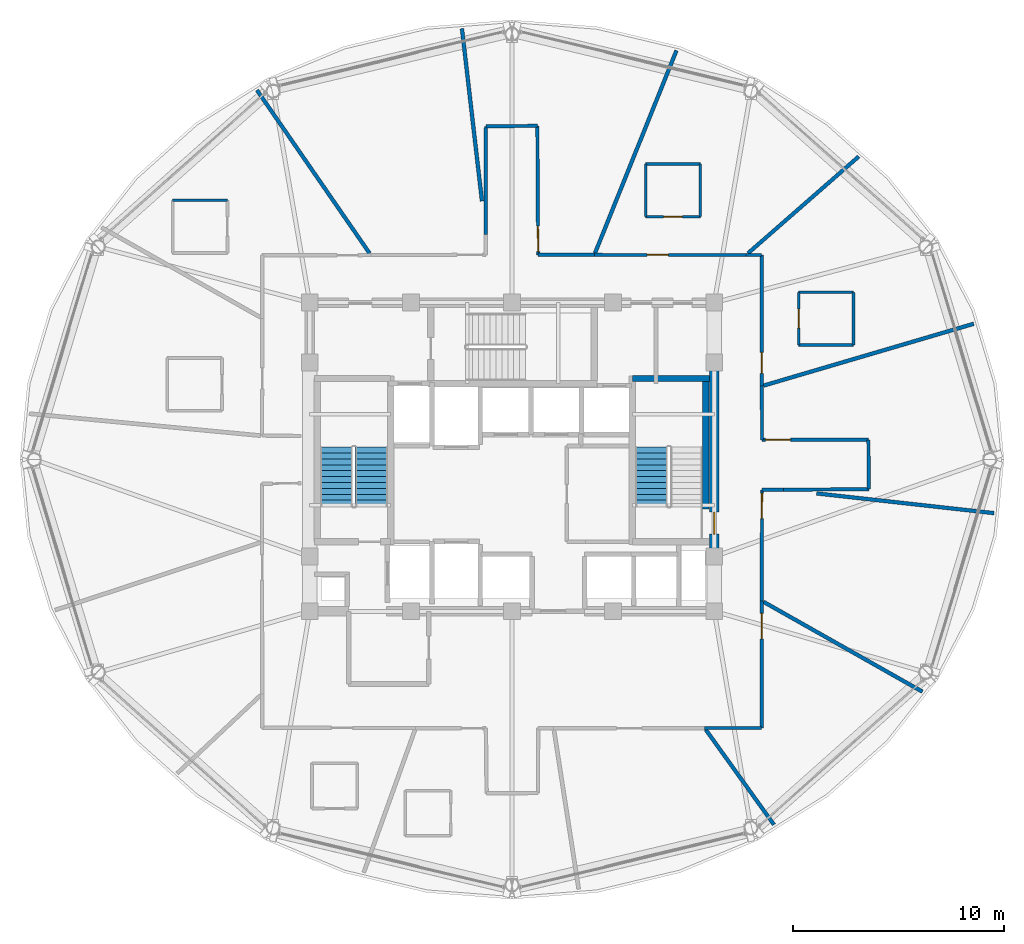
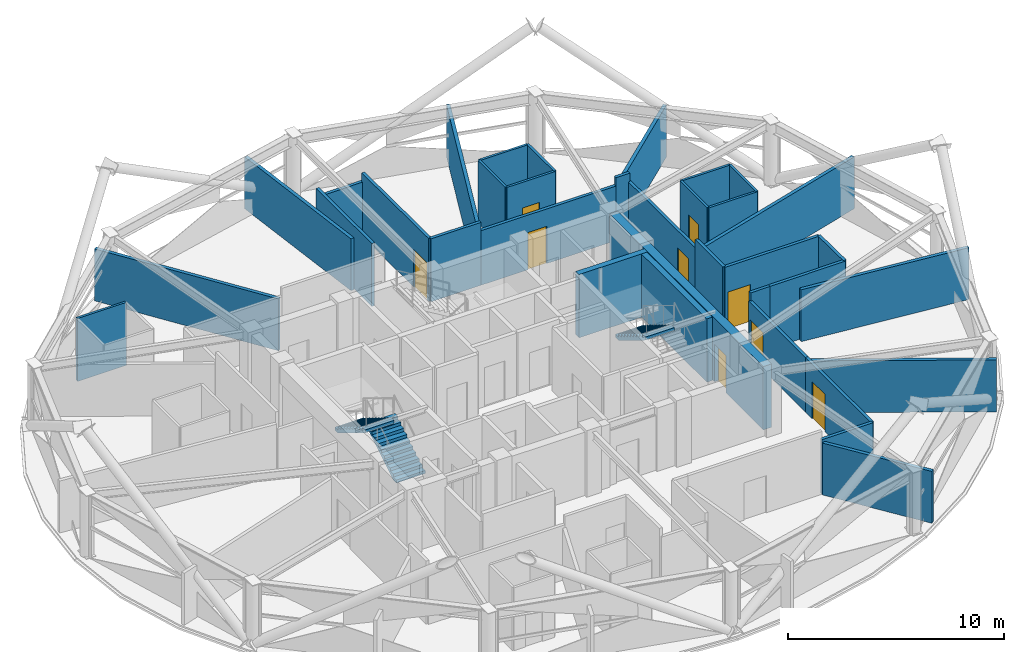
# One storey, part 25 of 30: 35 walls, 9 doors, 3 stair flights, 9 openings, 2 elements without a shape of their own.
"""IFC4 building model written with IfcOpenShell, lengths in metres."""

from ifc_helpers import new_model, si_unit, direction, frame, frame_2d, origin, place, context, subcontext, project, spatial, polyline, rectangle, outline, extrude, material, layer, layer_set, type_object, element, fill, aggregate, save


model = new_model("IFC4")

# Units and contexts
model_context = context("Model", 3, precision=1e-05, world=origin(), true_north=direction((0.0, 1.0)))
body_context = subcontext(model_context, "Body", "Model", "MODEL_VIEW")
ifc_project = project(units=[si_unit("LENGTHUNIT", "METRE"), si_unit("AREAUNIT", "SQUARE_METRE"), si_unit("VOLUMEUNIT", "CUBIC_METRE"), si_unit("PLANEANGLEUNIT", "RADIAN"), si_unit("MASSUNIT", "GRAM", prefix="KILO")], contexts=[model_context])

# Site, building, storey
site_placement = place(None, origin())
site = spatial("IfcSite", under=ifc_project, at=site_placement, CompositionType="ELEMENT")
building_placement = place(site_placement, origin())
building = spatial("IfcBuilding", under=site, at=building_placement, Name="Vantalir Tower", CompositionType="ELEMENT")
storey_placement = place(building_placement, frame((0.0, 0.0, 189.89990234375)))
storey = spatial("IfcBuildingStorey", under=building, at=storey_placement, Name="L47", CompositionType="ELEMENT", Elevation=189.89990234375)

# Walls
ifc_material_1 = material(Name="Moisture-resistant en-suite partition", Category="gypsum")
ifc_layer_1 = layer(ifc_material_1, 0.125)
ifc_layer_set_1 = layer_set([ifc_layer_1], Name="Moisture-resistant en-suite partition")
wall_type_1 = type_object("IfcWallType", Name="WL-BATH-125", PredefinedType="PARTITIONING", material=ifc_layer_set_1)
for number, where, z_axis, x_axis, name in (
    (1, (45.10498046875, 30.43994140625, 0.0), (0.0, 0.0, 1.0), (1.0, 0.0, 0.0), "L47 En-suite 01 South Wall"),
    (2, (45.10498046875, 32.93994140625, 0.0), (0.0, 0.0, 1.0), (1.0, 0.0, 0.0), "L47 En-suite 01 North Wall"),
):
    element("IfcWall", number, at=place(storey_placement, frame(where, z_axis=z_axis, x_axis=x_axis)), inside=storey, type_object=wall_type_1, Name=name, PredefinedType="PARTITIONING", context=body_context, shape_type="SweptSolid", body=[
        extrude(rectangle(XDim=2.60009765625, YDim=0.125, at=frame_2d((1.300048828125, 0.0))), origin(), (0.0, 0.0, 1.0), 3.550048828125),
    ])

# Wall, opening, door
wall_1_placement = place(storey_placement, frame((45.10498046875, 30.43994140625, 0.0), z_axis=(0.0, 0.0, 1.0), x_axis=(0.0, 1.0, 0.0)))
wall_1 = element("IfcWall", 3, at=wall_1_placement, inside=storey, type_object=wall_type_1, Name="L47 En-suite 01 West Wall", PredefinedType="PARTITIONING", context=body_context, shape_type="SweptSolid", body=[
    extrude(rectangle(XDim=2.5, YDim=0.125, at=frame_2d((1.25, 0.0))), origin(), (0.0, 0.0, 1.0), 3.550048828125),
])
opening_1_placement = place(wall_1_placement, frame((0.800048828125, 0.0, 0.0)))
opening_1 = element("IfcOpeningElement", 4, at=opening_1_placement, cuts=wall_1, Name="Opening D-WC", PredefinedType="OPENING", context=body_context, shape_type="SweptSolid", body=[
    extrude(rectangle(XDim=0.89990234375, YDim=2.10009765625, at=frame_2d((0.449951171875, 1.050048828125))), frame((0.0, 0.072509765625, 0.0), z_axis=(0.0, -1.0, 0.0), x_axis=(1.0, 0.0, 0.0)), (0.0, 0.0, 1.0), 0.14501953125),
])
ifc_material_2 = material(Name="Moisture-resistant hardwood door", Category="wood")
door_type_1 = type_object("IfcDoorType", Name="DR-ENSUITE-900", OperationType="NOTDEFINED", PredefinedType="DOOR", material=ifc_material_2)
door_1_placement = place(opening_1_placement, frame((0.89990234375, 0.0, 0.0), z_axis=(0.0, 0.0, 1.0), x_axis=(-1.0, 0.0, 0.0)))
door_1 = element("IfcDoor", 5, at=door_1_placement, inside=storey, type_object=door_type_1, Name="L47 En-suite 01 Door", OperationType="SINGLE_SWING_LEFT", OverallHeight=2.10009765625, OverallWidth=0.89990234375, PredefinedType="DOOR", context=body_context, shape_type="SweptSolid", body=[
    extrude(rectangle(XDim=0.89990234375, YDim=2.10009765625, at=frame_2d((0.449951171875, 1.050048828125))), frame((0.0, 0.02490234375, 0.0), z_axis=(0.0, -1.0, 0.0), x_axis=(1.0, 0.0, 0.0)), (0.0, 0.0, 1.0), 0.050048828125),
])
fill(opening_1, door_1)

# Wall
wall_2_placement = place(storey_placement, frame((47.705078125, 30.43994140625, 0.0), z_axis=(0.0, 0.0, 1.0), x_axis=(0.0, 1.0, 0.0)))
element("IfcWall", 6, at=wall_2_placement, inside=storey, type_object=wall_type_1, Name="L47 En-suite 01 East Wall", PredefinedType="PARTITIONING", context=body_context, shape_type="SweptSolid", body=[
    extrude(rectangle(XDim=2.5, YDim=0.125, at=frame_2d((1.25, 0.0))), origin(), (0.0, 0.0, 1.0), 3.550048828125),
])

# Wall, opening, door
wall_3_placement = place(storey_placement, frame((37.842041015625, 36.528076171875, 0.0), z_axis=(0.0, 0.0, 1.0), x_axis=(1.0, 0.0, 0.0)))
wall_3 = element("IfcWall", 7, at=wall_3_placement, inside=storey, type_object=wall_type_1, Name="L47 En-suite 02 South Wall", PredefinedType="PARTITIONING", context=body_context, shape_type="SweptSolid", body=[
    extrude(rectangle(XDim=2.599853515625, YDim=0.125, at=frame_2d((1.2998046875, 0.0))), origin(), (0.0, 0.0, 1.0), 3.550048828125),
])
opening_2_placement = place(wall_3_placement, frame((0.85009765625, 0.0, 0.0)))
opening_2 = element("IfcOpeningElement", 8, at=opening_2_placement, cuts=wall_3, Name="Opening D-WC", PredefinedType="OPENING", context=body_context, shape_type="SweptSolid", body=[
    extrude(rectangle(XDim=0.89990234375, YDim=2.10009765625, at=frame_2d((0.449951171875, 1.050048828125))), frame((0.0, 0.072509765625, 0.0), z_axis=(0.0, -1.0, 0.0), x_axis=(1.0, 0.0, 0.0)), (0.0, 0.0, 1.0), 0.14501953125),
])
door_2_placement = place(opening_2_placement, origin())
door_2 = element("IfcDoor", 9, at=door_2_placement, inside=storey, type_object=door_type_1, Name="L47 En-suite 02 Door", OperationType="SINGLE_SWING_RIGHT", OverallHeight=2.10009765625, OverallWidth=0.89990234375, PredefinedType="DOOR", context=body_context, shape_type="SweptSolid", body=[
    extrude(rectangle(XDim=0.89990234375, YDim=2.10009765625, at=frame_2d((0.449951171875, 1.050048828125))), frame((0.0, 0.02490234375, 0.0), z_axis=(0.0, -1.0, 0.0), x_axis=(1.0, 0.0, 0.0)), (0.0, 0.0, 1.0), 0.050048828125),
])
fill(opening_2, door_2)

# Walls
wall_4_placement = place(storey_placement, frame((37.842041015625, 39.028076171875, 0.0), z_axis=(0.0, 0.0, 1.0), x_axis=(1.0, 0.0, 0.0)))
element("IfcWall", 10, at=wall_4_placement, inside=storey, type_object=wall_type_1, Name="L47 En-suite 02 North Wall", PredefinedType="PARTITIONING", context=body_context, shape_type="SweptSolid", body=[
    extrude(rectangle(XDim=2.599853515625, YDim=0.125, at=frame_2d((1.2998046875, 0.0))), origin(), (0.0, 0.0, 1.0), 3.550048828125),
])
for number, where, z_axis, x_axis, name in (
    (11, (37.842041015625, 36.528076171875, 0.0), (0.0, 0.0, 1.0), (0.0, 1.0, 0.0), "L47 En-suite 02 West Wall"),
    (12, (40.44189453125, 36.528076171875, 0.0), (0.0, 0.0, 1.0), (0.0, 1.0, 0.0), "L47 En-suite 02 East Wall"),
):
    element("IfcWall", number, at=place(storey_placement, frame(where, z_axis=z_axis, x_axis=x_axis)), inside=storey, type_object=wall_type_1, Name=name, PredefinedType="PARTITIONING", context=body_context, shape_type="SweptSolid", body=[
        extrude(rectangle(XDim=2.5, YDim=0.125, at=frame_2d((1.25, 0.0))), origin(), (0.0, 0.0, 1.0), 3.550048828125),
    ])
wall_5_placement = place(storey_placement, frame((15.39501953125, 37.305908203125, 0.0), z_axis=(0.0, 0.0, 1.0), x_axis=(1.0, 0.0, 0.0)))
element("IfcWall", 13, at=wall_5_placement, inside=storey, type_object=wall_type_1, Name="L47 En-suite 05 North Wall", PredefinedType="PARTITIONING", context=body_context, shape_type="SweptSolid", body=[
    extrude(rectangle(XDim=2.60009765625, YDim=0.125, at=frame_2d((1.300048828125, 0.0))), origin(), (0.0, 0.0, 1.0), 3.550048828125),
])

# Wall, opening, door
ifc_material_3 = material(Name="Concrete C50/60", Category="concrete")
ifc_layer_2 = layer(ifc_material_3, 0.449951171875)
ifc_layer_set_2 = layer_set([ifc_layer_2], Name="Concrete C50/60")
wall_type_2 = type_object("IfcWallType", Name="WL-CORE-450", PredefinedType="SHEAR", material=ifc_layer_set_2)
wall_6_placement = place(storey_placement, frame((41.10009765625, 18.02490234375, 0.0), z_axis=(0.0, 0.0, 1.0), x_axis=(0.0, 1.0, 0.0)))
wall_6 = element("IfcWall", 14, at=wall_6_placement, inside=storey, type_object=wall_type_2, Name="L47 Core Shear Wall East", PredefinedType="SHEAR", context=body_context, shape_type="SweptSolid", body=[
    extrude(rectangle(XDim=14.2001953125, YDim=0.449951171875, at=frame_2d((7.10009765625, 0.0))), origin(), (0.0, 0.0, 1.0), 3.570068359375),
])
opening_3_placement = place(wall_6_placement, frame((3.43505859375, 0.0, 0.0)))
opening_3 = element("IfcOpeningElement", 15, at=opening_3_placement, cuts=wall_6, Name="Opening D-ST", PredefinedType="OPENING", context=body_context, shape_type="SweptSolid", body=[
    extrude(rectangle(XDim=1.050048828125, YDim=2.10009765625, at=frame_2d((0.52490234375, 1.050048828125))), frame((0.0, 0.23486328125, 0.0), z_axis=(0.0, -1.0, 0.0), x_axis=(1.0, 0.0, 0.0)), (0.0, 0.0, 1.0), 0.469970703125),
])
ifc_material_4 = material(Name="Fire-rated steel door leaf", Category="steel")
door_type_2 = type_object("IfcDoorType", Name="DR-FIRE-STAIR-1050", OperationType="NOTDEFINED", PredefinedType="DOOR", material=ifc_material_4)
door_3_placement = place(opening_3_placement, origin())
door_3 = element("IfcDoor", 16, at=door_3_placement, inside=storey, type_object=door_type_2, Name="L47 Exit Stair ST2 Fire Door", OperationType="SINGLE_SWING_LEFT", OverallHeight=2.10009765625, OverallWidth=1.050048828125, PredefinedType="DOOR", context=body_context, shape_type="SweptSolid", body=[
    extrude(rectangle(XDim=1.050048828125, YDim=2.10009765625, at=frame_2d((0.52490234375, 1.050048828125))), frame((0.0, 0.02490234375, 0.0), z_axis=(0.0, -1.0, 0.0), x_axis=(1.0, 0.0, 0.0)), (0.0, 0.0, 1.0), 0.050048828125),
])
fill(opening_3, door_3)

# Walls
ifc_material_5 = material(Name="Fire-rated hotel corridor acoustic partition", Category="gypsum")
ifc_layer_3 = layer(ifc_material_5, 0.159912109375)
ifc_layer_set_3 = layer_set([ifc_layer_3], Name="Fire-rated hotel corridor acoustic partition")
wall_type_3 = type_object("IfcWallType", Name="WL-CORR-160", PredefinedType="PARTITIONING", material=ifc_layer_set_3)
wall_7_placement = place(storey_placement, frame((30.260009765625, 35.676025390625, 0.0), z_axis=(0.0, 0.0, 1.0), x_axis=(0.000570098249, 0.999999837494, 0.0)))
element("IfcWall", 17, at=wall_7_placement, inside=storey, type_object=wall_type_3, Name="L47 Corridor Partition 07", PredefinedType="PARTITIONING", context=body_context, shape_type="SweptSolid", body=[
    extrude(rectangle(XDim=5.138916015625, YDim=0.159912109375, at=frame_2d((2.5693359375, 0.0))), origin(), (0.0, 0.0, 1.0), 3.550048828125),
])
wall_8_placement = place(storey_placement, frame((30.262939453125, 40.81494140625, 0.0), z_axis=(0.0, 0.0, 1.0), x_axis=(0.999946948611, 0.010300483619, 0.0)))
element("IfcWall", 18, at=wall_8_placement, inside=storey, type_object=wall_type_3, Name="L47 Corridor Partition 08", PredefinedType="PARTITIONING", context=body_context, shape_type="SweptSolid", body=[
    extrude(rectangle(XDim=2.44140625, YDim=0.159912109375, at=frame_2d((1.220703125, 0.0))), origin(), (0.0, 0.0, 1.0), 3.0810546875),
])

# Wall, opening, door
wall_9_placement = place(storey_placement, frame((32.7041015625, 40.840087890625, 0.0), z_axis=(0.0, 0.0, 1.0), x_axis=(0.00585927442, -0.999982834304, 0.0)))
wall_9 = element("IfcWall", 19, at=wall_9_placement, inside=storey, type_object=wall_type_3, Name="L47 Corridor Partition 09", PredefinedType="PARTITIONING", context=body_context, shape_type="SweptSolid", body=[
    extrude(rectangle(XDim=6.125, YDim=0.159912109375, at=frame_2d((3.0625, 0.0))), origin(), (0.0, 0.0, 1.0), 3.550048828125),
])
opening_4_placement = place(wall_9_placement, frame((4.764892578125, 0.0, 0.0)))
opening_4 = element("IfcOpeningElement", 20, at=opening_4_placement, cuts=wall_9, Name="Opening D-STE", PredefinedType="OPENING", context=body_context, shape_type="SweptSolid", body=[
    extrude(rectangle(XDim=1.199951171875, YDim=2.10009765625, at=frame_2d((0.60009765625, 1.050048828125))), frame((0.0, 0.08984375, 0.0), z_axis=(0.0, -1.0, 0.0), x_axis=(1.0, 0.0, 0.0)), (0.0, 0.0, 1.0), 0.179931640625),
])
ifc_material_6 = material(Name="Solid-core teak veneer suite entrance door", Category="wood")
door_type_3 = type_object("IfcDoorType", Name="DR-SUITE-ENTRY-1200", OperationType="NOTDEFINED", PredefinedType="DOOR", material=ifc_material_6)
door_4_placement = place(opening_4_placement, origin())
door_4 = element("IfcDoor", 21, at=door_4_placement, inside=storey, type_object=door_type_3, Name="L47 Club Reading Lounge 03 Door", OperationType="SINGLE_SWING_LEFT", OverallHeight=2.10009765625, OverallWidth=1.199951171875, PredefinedType="DOOR", context=body_context, shape_type="SweptSolid", body=[
    extrude(rectangle(XDim=1.199951171875, YDim=2.10009765625, at=frame_2d((0.60009765625, 1.050048828125))), frame((0.0, 0.02490234375, 0.0), z_axis=(0.0, -1.0, 0.0), x_axis=(1.0, 0.0, 0.0)), (0.0, 0.0, 1.0), 0.050048828125),
])
fill(opening_4, door_4)

# Wall
wall_10_placement = place(storey_placement, frame((32.739990234375, 34.715087890625, 0.0), z_axis=(0.0, 0.0, 1.0), x_axis=(0.999999660367, -0.000824175544, 0.0)))
element("IfcWall", 22, at=wall_10_placement, inside=storey, type_object=wall_type_3, Name="L47 Corridor Partition 10", PredefinedType="PARTITIONING", context=body_context, shape_type="SweptSolid", body=[
    extrude(rectangle(XDim=2.666015625, YDim=0.159912109375, at=frame_2d((1.3330078125, 0.0))), origin(), (0.0, 0.0, 1.0), 3.550048828125),
])

# Wall, opening, door
wall_11_placement = place(storey_placement, frame((35.406005859375, 34.712890625, 0.0), z_axis=(0.0, 0.0, 1.0), x_axis=(0.999999852866, -0.000542464745, 0.0)))
wall_11 = element("IfcWall", 23, at=wall_11_placement, inside=storey, type_object=wall_type_3, Name="L47 Corridor Partition 11", PredefinedType="PARTITIONING", context=body_context, shape_type="SweptSolid", body=[
    extrude(rectangle(XDim=7.200927734375, YDim=0.159912109375, at=frame_2d((3.6005859375, 0.0))), origin(), (0.0, 0.0, 1.0), 3.0810546875),
])
opening_5_placement = place(wall_11_placement, frame((2.511962890625, 0.0, 0.0)))
opening_5 = element("IfcOpeningElement", 24, at=opening_5_placement, cuts=wall_11, Name="Opening D-GUEST", PredefinedType="OPENING", context=body_context, shape_type="SweptSolid", body=[
    extrude(rectangle(XDim=1.0, YDim=2.10009765625, at=frame_2d((0.5, 1.050048828125))), frame((0.0, 0.08984375, 0.0), z_axis=(0.0, -1.0, 0.0), x_axis=(1.0, 0.0, 0.0)), (0.0, 0.0, 1.0), 0.179931640625),
])
ifc_material_7 = material(Name="Solid-core teak veneer acoustic fire door", Category="wood")
door_type_4 = type_object("IfcDoorType", Name="DR-GUEST-ENTRY-1000", OperationType="NOTDEFINED", PredefinedType="DOOR", material=ifc_material_7)
door_5_placement = place(opening_5_placement, origin())
door_5 = element("IfcDoor", 25, at=door_5_placement, inside=storey, type_object=door_type_4, Name="L47 Deluxe King Hotel Room 02 Door", OperationType="SINGLE_SWING_RIGHT", OverallHeight=2.10009765625, OverallWidth=1.0, PredefinedType="DOOR", context=body_context, shape_type="SweptSolid", body=[
    extrude(rectangle(XDim=1.0, YDim=2.10009765625, at=frame_2d((0.5, 1.050048828125))), frame((0.0, 0.02490234375, 0.0), z_axis=(0.0, -1.0, 0.0), x_axis=(1.0, 0.0, 0.0)), (0.0, 0.0, 1.0), 0.050048828125),
])
fill(opening_5, door_5)

# Wall
wall_12_placement = place(storey_placement, frame((42.60693359375, 34.708984375, 0.0), z_axis=(0.0, 0.0, 1.0), x_axis=(0.999999129202, -0.001319695321, 0.0)))
element("IfcWall", 26, at=wall_12_placement, inside=storey, type_object=wall_type_3, Name="L47 Corridor Partition 12", PredefinedType="PARTITIONING", context=body_context, shape_type="SweptSolid", body=[
    extrude(rectangle(XDim=0.739990234375, YDim=0.159912109375, at=frame_2d((0.3701171875, 0.0))), origin(), (0.0, 0.0, 1.0), 3.550048828125),
])

# Wall, opening, door
wall_13_placement = place(storey_placement, frame((43.346923828125, 34.7080078125, 0.0), z_axis=(0.0, 0.0, 1.0), x_axis=(0.002119554057, -0.999997753743, 0.0)))
wall_13 = element("IfcWall", 27, at=wall_13_placement, inside=storey, type_object=wall_type_3, Name="L47 Corridor Partition 13", PredefinedType="PARTITIONING", context=body_context, shape_type="SweptSolid", body=[
    extrude(rectangle(XDim=6.219970703125, YDim=0.159912109375, at=frame_2d((3.10986328125, 0.0))), origin(), (0.0, 0.0, 1.0), 3.0810546875),
])
opening_6_placement = place(wall_13_placement, frame((4.614990234375, 0.0, 0.0)))
opening_6 = element("IfcOpeningElement", 28, at=opening_6_placement, cuts=wall_13, Name="Opening D-GUEST", PredefinedType="OPENING", context=body_context, shape_type="SweptSolid", body=[
    extrude(rectangle(XDim=1.0, YDim=2.10009765625, at=frame_2d((0.5, 1.050048828125))), frame((0.0, 0.08984375, 0.0), z_axis=(0.0, -1.0, 0.0), x_axis=(1.0, 0.0, 0.0)), (0.0, 0.0, 1.0), 0.179931640625),
])
door_6_placement = place(opening_6_placement, origin())
door_6 = element("IfcDoor", 29, at=door_6_placement, inside=storey, type_object=door_type_4, Name="L47 Twin Queen Hotel Room 01 Door", OperationType="SINGLE_SWING_LEFT", OverallHeight=2.10009765625, OverallWidth=1.0, PredefinedType="DOOR", context=body_context, shape_type="SweptSolid", body=[
    extrude(rectangle(XDim=1.0, YDim=2.10009765625, at=frame_2d((0.5, 1.050048828125))), frame((0.0, 0.02490234375, 0.0), z_axis=(0.0, -1.0, 0.0), x_axis=(1.0, 0.0, 0.0)), (0.0, 0.0, 1.0), 0.050048828125),
])
fill(opening_6, door_6)

# Wall
wall_14_placement = place(storey_placement, frame((43.360107421875, 28.488037109375, 0.0), z_axis=(0.0, 0.0, 1.0), x_axis=(0.001916255943, -0.99999816398, 0.0)))
element("IfcWall", 30, at=wall_14_placement, inside=storey, type_object=wall_type_3, Name="L47 Corridor Partition 14", PredefinedType="PARTITIONING", context=body_context, shape_type="SweptSolid", body=[
    extrude(rectangle(XDim=2.548095703125, YDim=0.159912109375, at=frame_2d((1.27392578125, 0.0))), origin(), (0.0, 0.0, 1.0), 3.550048828125),
])

# Wall, opening, door
wall_15_placement = place(storey_placement, frame((43.364990234375, 25.93994140625, 0.0), z_axis=(0.0, 0.0, 1.0), x_axis=(0.999999831724, -0.000580130432, 0.0)))
wall_15 = element("IfcWall", 31, at=wall_15_placement, inside=storey, type_object=wall_type_3, Name="L47 Corridor Partition 15", PredefinedType="PARTITIONING", context=body_context, shape_type="SweptSolid", body=[
    extrude(rectangle(XDim=5.050048828125, YDim=0.159912109375, at=frame_2d((2.52490234375, 0.0))), origin(), (0.0, 0.0, 1.0), 3.550048828125),
])
opening_7_placement = place(wall_15_placement, frame((0.159912109375, 0.0, 0.0)))
opening_7 = element("IfcOpeningElement", 32, at=opening_7_placement, cuts=wall_15, Name="Opening D-STE", PredefinedType="OPENING", context=body_context, shape_type="SweptSolid", body=[
    extrude(rectangle(XDim=1.199951171875, YDim=2.10009765625, at=frame_2d((0.60009765625, 1.050048828125))), frame((0.0, 0.08984375, 0.0), z_axis=(0.0, -1.0, 0.0), x_axis=(1.0, 0.0, 0.0)), (0.0, 0.0, 1.0), 0.179931640625),
])
door_7_placement = place(opening_7_placement, origin())
door_7 = element("IfcDoor", 33, at=door_7_placement, inside=storey, type_object=door_type_3, Name="L47 Executive Sky Boardroom 14 Door", OperationType="SINGLE_SWING_RIGHT", OverallHeight=2.10009765625, OverallWidth=1.199951171875, PredefinedType="DOOR", context=body_context, shape_type="SweptSolid", body=[
    extrude(rectangle(XDim=1.199951171875, YDim=2.10009765625, at=frame_2d((0.60009765625, 1.050048828125))), frame((0.0, 0.02490234375, 0.0), z_axis=(0.0, -1.0, 0.0), x_axis=(1.0, 0.0, 0.0)), (0.0, 0.0, 1.0), 0.050048828125),
])
fill(opening_7, door_7)

# Walls
wall_16_placement = place(storey_placement, frame((48.4150390625, 25.93701171875, 0.0), z_axis=(0.0, 0.0, 1.0), x_axis=(0.010636586698, -0.999943429912, 0.0)))
element("IfcWall", 34, at=wall_16_placement, inside=storey, type_object=wall_type_3, Name="L47 Corridor Partition 16", PredefinedType="PARTITIONING", context=body_context, shape_type="SweptSolid", body=[
    extrude(rectangle(XDim=2.34130859375, YDim=0.159912109375, at=frame_2d((1.170654296875, 0.0))), origin(), (0.0, 0.0, 1.0), 3.550048828125),
])
wall_17_placement = place(storey_placement, frame((48.43994140625, 23.595947265625, 0.0), z_axis=(0.0, 0.0, 1.0), x_axis=(-0.999974256442, -0.007175406206, 0.0)))
element("IfcWall", 35, at=wall_17_placement, inside=storey, type_object=wall_type_3, Name="L47 Corridor Partition 17", PredefinedType="PARTITIONING", context=body_context, shape_type="SweptSolid", body=[
    extrude(rectangle(XDim=4.048828125, YDim=0.159912109375, at=frame_2d((2.0244140625, 0.0))), origin(), (0.0, 0.0, 1.0), 3.550048828125),
])
wall_18_placement = place(storey_placement, frame((44.39111328125, 23.56689453125, 0.0), z_axis=(0.0, 0.0, 1.0), x_axis=(-0.999977810228, -0.006661760335, 0.0)))
element("IfcWall", 36, at=wall_18_placement, inside=storey, type_object=wall_type_3, Name="L47 Corridor Partition 18", PredefinedType="PARTITIONING", context=body_context, shape_type="SweptSolid", body=[
    extrude(rectangle(XDim=1.026123046875, YDim=0.159912109375, at=frame_2d((0.51318359375, 0.0))), origin(), (0.0, 0.0, 1.0), 3.550048828125),
])

# Wall, opening, door
wall_19_placement = place(storey_placement, frame((43.364990234375, 23.56005859375, 0.0), z_axis=(0.0, 0.0, 1.0), x_axis=(-0.001344209409, -0.99999909655, 0.0)))
wall_19 = element("IfcWall", 37, at=wall_19_placement, inside=storey, type_object=wall_type_3, Name="L47 Corridor Partition 19", PredefinedType="PARTITIONING", context=body_context, shape_type="SweptSolid", body=[
    extrude(rectangle(XDim=5.26708984375, YDim=0.159912109375, at=frame_2d((2.633544921875, 0.0))), origin(), (0.0, 0.0, 1.0), 3.0810546875),
])
opening_8_placement = place(wall_19_placement, frame((0.159912109375, 0.0, 0.0)))
opening_8 = element("IfcOpeningElement", 38, at=opening_8_placement, cuts=wall_19, Name="Opening D-STE", PredefinedType="OPENING", context=body_context, shape_type="SweptSolid", body=[
    extrude(rectangle(XDim=1.199951171875, YDim=2.10009765625, at=frame_2d((0.60009765625, 1.050048828125))), frame((0.0, 0.08984375, 0.0), z_axis=(0.0, -1.0, 0.0), x_axis=(1.0, 0.0, 0.0)), (0.0, 0.0, 1.0), 0.179931640625),
])
door_8_placement = place(opening_8_placement, origin())
door_8 = element("IfcDoor", 39, at=door_8_placement, inside=storey, type_object=door_type_3, Name="L47 Club Reading Lounge 13 Door", OperationType="SINGLE_SWING_LEFT", OverallHeight=2.10009765625, OverallWidth=1.199951171875, PredefinedType="DOOR", context=body_context, shape_type="SweptSolid", body=[
    extrude(rectangle(XDim=1.199951171875, YDim=2.10009765625, at=frame_2d((0.60009765625, 1.050048828125))), frame((0.0, 0.02490234375, 0.0), z_axis=(0.0, -1.0, 0.0), x_axis=(1.0, 0.0, 0.0)), (0.0, 0.0, 1.0), 0.050048828125),
])
fill(opening_8, door_8)

wall_20_placement = place(storey_placement, frame((43.35791015625, 18.29296875, 0.0), z_axis=(0.0, 0.0, 1.0), x_axis=(-0.001294759182, -0.999999161799, 0.0)))
wall_20 = element("IfcWall", 40, at=wall_20_placement, inside=storey, type_object=wall_type_3, Name="L47 Corridor Partition 20", PredefinedType="PARTITIONING", context=body_context, shape_type="SweptSolid", body=[
    extrude(rectangle(XDim=6.033935546875, YDim=0.159912109375, at=frame_2d((3.01708984375, 0.0))), origin(), (0.0, 0.0, 1.0), 3.0810546875),
])
opening_9_placement = place(wall_20_placement, frame((0.596923828125, 0.0, 0.0)))
opening_9 = element("IfcOpeningElement", 41, at=opening_9_placement, cuts=wall_20, Name="Opening D-STE", PredefinedType="OPENING", context=body_context, shape_type="SweptSolid", body=[
    extrude(rectangle(XDim=1.199951171875, YDim=2.10009765625, at=frame_2d((0.60009765625, 1.050048828125))), frame((0.0, 0.08984375, 0.0), z_axis=(0.0, -1.0, 0.0), x_axis=(1.0, 0.0, 0.0)), (0.0, 0.0, 1.0), 0.179931640625),
])
door_9_placement = place(opening_9_placement, origin())
door_9 = element("IfcDoor", 42, at=door_9_placement, inside=storey, type_object=door_type_3, Name="L47 Executive Sky Boardroom 12 Door", OperationType="SINGLE_SWING_RIGHT", OverallHeight=2.10009765625, OverallWidth=1.199951171875, PredefinedType="DOOR", context=body_context, shape_type="SweptSolid", body=[
    extrude(rectangle(XDim=1.199951171875, YDim=2.10009765625, at=frame_2d((0.60009765625, 1.050048828125))), frame((0.0, 0.02490234375, 0.0), z_axis=(0.0, -1.0, 0.0), x_axis=(1.0, 0.0, 0.0)), (0.0, 0.0, 1.0), 0.050048828125),
])
fill(opening_9, door_9)

# Walls
wall_21_placement = place(storey_placement, frame((43.35009765625, 12.259033203125, 0.0), z_axis=(0.0, 0.0, 1.0), x_axis=(-0.999999739718, -0.000721500534, 0.0)))
element("IfcWall", 43, at=wall_21_placement, inside=storey, type_object=wall_type_3, Name="L47 Corridor Partition 21", PredefinedType="PARTITIONING", context=body_context, shape_type="SweptSolid", body=[
    extrude(rectangle(XDim=2.70703125, YDim=0.159912109375, at=frame_2d((1.353515625, 0.0))), origin(), (0.0, 0.0, 1.0), 3.0810546875),
])
ifc_material_8 = material(Name="Twin-stud acoustic fire-rated gypsum partition", Category="gypsum")
ifc_layer_4 = layer(ifc_material_8, 0.179931640625)
ifc_layer_set_4 = layer_set([ifc_layer_4], Name="Twin-stud acoustic fire-rated gypsum partition")
wall_type_4 = type_object("IfcWallType", Name="WL-GUEST-180", PredefinedType="PARTITIONING", material=ifc_layer_set_4)
wall_22_placement = place(storey_placement, frame((43.43994140625, 28.510986328125, 0.0), z_axis=(0.0, 0.0, 1.0), x_axis=(0.959359519105, 0.282186663581, 0.0)))
element("IfcWall", 44, at=wall_22_placement, inside=storey, type_object=wall_type_4, Name="L47 Radial Suite Partition 01", PredefinedType="PARTITIONING", context=body_context, shape_type="SweptSolid", body=[
    extrude(rectangle(XDim=10.397705078125, YDim=0.179931640625, at=frame_2d((5.19873046875, 0.0))), origin(), (0.0, 0.0, 1.0), 2.925048828125),
])
wall_23_placement = place(storey_placement, frame((42.699951171875, 34.7900390625, 0.0), z_axis=(0.0, 0.0, 1.0), x_axis=(0.75292092659, 0.658110992388, 0.0)))
element("IfcWall", 45, at=wall_23_placement, inside=storey, type_object=wall_type_4, Name="L47 Radial Suite Partition 02", PredefinedType="PARTITIONING", context=body_context, shape_type="SweptSolid", body=[
    extrude(rectangle(XDim=6.983642578125, YDim=0.179931640625, at=frame_2d((3.49169921875, 0.0))), origin(), (0.0, 0.0, 1.0), 2.925048828125),
])
wall_24_placement = place(storey_placement, frame((35.43701171875, 34.7900390625, 0.0), z_axis=(0.0, 0.0, 1.0), x_axis=(0.373077668458, 0.927800114948, 0.0)))
element("IfcWall", 46, at=wall_24_placement, inside=storey, type_object=wall_type_4, Name="L47 Radial Suite Partition 03", PredefinedType="PARTITIONING", context=body_context, shape_type="SweptSolid", body=[
    extrude(rectangle(XDim=10.376220703125, YDim=0.179931640625, at=frame_2d((5.18798828125, 0.0))), origin(), (0.0, 0.0, 1.0), 2.925048828125),
])
wall_25_placement = place(storey_placement, frame((30.075927734375, 37.264892578125, 0.0), z_axis=(0.0, 0.0, 1.0), x_axis=(-0.115375116719, 0.993321993335, 0.0)))
element("IfcWall", 47, at=wall_25_placement, inside=storey, type_object=wall_type_4, Name="L47 Radial Suite Partition 04", PredefinedType="PARTITIONING", context=body_context, shape_type="SweptSolid", body=[
    extrude(rectangle(XDim=8.241943359375, YDim=0.179931640625, at=frame_2d((4.12109375, 0.0))), origin(), (0.0, 0.0, 1.0), 2.925048828125),
])
wall_26_placement = place(storey_placement, frame((24.740966796875, 34.7900390625, 0.0), z_axis=(0.0, 0.0, 1.0), x_axis=(-0.568116674555, 0.822948020286, 0.0)))
element("IfcWall", 48, at=wall_26_placement, inside=storey, type_object=wall_type_4, Name="L47 Radial Suite Partition 05", PredefinedType="PARTITIONING", context=body_context, shape_type="SweptSolid", body=[
    extrude(rectangle(XDim=9.409912109375, YDim=0.179931640625, at=frame_2d((4.705078125, 0.0))), origin(), (0.0, 0.0, 1.0), 2.925048828125),
])
wall_27_placement = place(storey_placement, frame((40.701904296875, 12.175048828125, 0.0), z_axis=(0.0, 0.0, 1.0), x_axis=(0.582903450573, -0.812541424981, 0.0)))
element("IfcWall", 49, at=wall_27_placement, inside=storey, type_object=wall_type_4, Name="L47 Radial Suite Partition 12", PredefinedType="PARTITIONING", context=body_context, shape_type="SweptSolid", body=[
    extrude(rectangle(XDim=5.543212890625, YDim=0.179931640625, at=frame_2d((2.771484375, 0.0))), origin(), (0.0, 0.0, 1.0), 2.925048828125),
])
wall_28_placement = place(storey_placement, frame((43.43994140625, 18.2470703125, 0.0), z_axis=(0.0, 0.0, 1.0), x_axis=(0.870416857611, -0.492315441549, 0.0)))
element("IfcWall", 50, at=wall_28_placement, inside=storey, type_object=wall_type_4, Name="L47 Radial Suite Partition 13", PredefinedType="PARTITIONING", context=body_context, shape_type="SweptSolid", body=[
    extrude(rectangle(XDim=8.661376953125, YDim=0.179931640625, at=frame_2d((4.33056640625, 0.0))), origin(), (0.0, 0.0, 1.0), 2.925048828125),
])
wall_29_placement = place(storey_placement, frame((45.9580078125, 23.39306640625, 0.0), z_axis=(0.0, 0.0, 1.0), x_axis=(0.993887249418, -0.110399888784, 0.0)))
element("IfcWall", 51, at=wall_29_placement, inside=storey, type_object=wall_type_4, Name="L47 Radial Suite Partition 14", PredefinedType="PARTITIONING", context=body_context, shape_type="SweptSolid", body=[
    extrude(rectangle(XDim=8.4697265625, YDim=0.179931640625, at=frame_2d((4.23486328125, 0.0))), origin(), (0.0, 0.0, 1.0), 2.925048828125),
])
ifc_layer_5 = layer(ifc_material_3, 0.300048828125)
ifc_layer_set_5 = layer_set([ifc_layer_5], Name="Concrete C50/60")
wall_type_5 = type_object("IfcWallType", Name="WL-STAIR-300", PredefinedType="SHEAR", material=ifc_layer_set_5)
wall_30_placement = place(storey_placement, frame((37.2099609375, 28.85009765625, 0.0), z_axis=(0.0, 0.0, 1.0), x_axis=(1.0, 0.0, 0.0)))
element("IfcWall", 52, at=wall_30_placement, inside=storey, type_object=wall_type_5, Name="L47 Stair ST2 North Wall", PredefinedType="SHEAR", context=body_context, shape_type="SweptSolid", body=[
    extrude(rectangle(XDim=3.6650390625, YDim=0.300048828125, at=frame_2d((1.83251953125, 0.0))), origin(), (0.0, 0.0, 1.0), 3.570068359375),
])
wall_31_placement = place(storey_placement, frame((40.68994140625, 22.64990234375, 0.0), z_axis=(0.0, 0.0, 1.0), x_axis=(0.0, 1.0, 0.0)))
element("IfcWall", 53, at=wall_31_placement, inside=storey, type_object=wall_type_5, Name="L47 Stair ST2 East Liner Wall", PredefinedType="SHEAR", context=body_context, shape_type="SweptSolid", body=[
    extrude(rectangle(XDim=6.2001953125, YDim=0.300048828125, at=frame_2d((3.10009765625, 0.0))), origin(), (0.0, 0.0, 1.0), 3.570068359375),
])

# Stair, stair flights
ifc_material_9 = material(Name="Concrete C40/50", Category="concrete")
stair_type = type_object("IfcStairType", Name="STR-CORE-1450", PredefinedType="HALF_TURN_STAIR", material=ifc_material_9)
stair_1_placement = place(storey_placement, origin())
stair_1 = element("IfcStair", 54, at=stair_1_placement, inside=storey, type_object=stair_type, Name="L47 Core Exit Stair 1", PredefinedType="HALF_TURN_STAIR")
stair_flight_type = type_object("IfcStairFlightType", Name="FLT-CORE-1450", PredefinedType="STRAIGHT", material=ifc_material_9)
stair_flight_1_placement = place(storey_placement, frame((24.830078125, 22.7900390625, 0.0), z_axis=(0.0, 0.0, 1.0), x_axis=(0.0, 1.0, 0.0)))
stair_flight_1 = element("IfcStairFlight", 55, at=stair_flight_1_placement, type_object=stair_flight_type, Name="ST1 flight 1", NumberOfRisers=11, NumberOfTreads=10, PredefinedType="STRAIGHT", RiserHeight=0.170454545, TreadLength=0.28, context=body_context, shape_type="SweptSolid", body=[
    extrude(outline(polyline([(0.0, 0.0), (0.0, 0.17041015625), (0.280029296875, 0.17041015625), (0.280029296875, 0.3408203125), (0.56005859375, 0.3408203125), (0.56005859375, 0.511474609375), (0.840087890625, 0.511474609375), (0.840087890625, 0.681884765625), (1.1201171875, 0.681884765625), (1.1201171875, 0.852294921875), (1.39990234375, 0.852294921875), (1.39990234375, 1.022705078125), (1.679931640625, 1.022705078125), (1.679931640625, 1.193115234375), (1.9599609375, 1.193115234375), (1.9599609375, 1.363525390625), (2.239990234375, 1.363525390625), (2.239990234375, 1.5341796875), (2.52001953125, 1.5341796875), (2.52001953125, 1.70458984375), (2.800048828125, 1.70458984375), (2.800048828125, 1.875), (2.800048828125, 1.529052734375), (0.288330078125, 0.0), (0.0, 0.0)])), frame((0.0, 0.77001953125, 0.0), z_axis=(0.0, -1.0, 0.0), x_axis=(1.0, 0.0, 0.0)), (0.0, 0.0, 1.0), 1.5400390625),
])
stair_flight_2_placement = place(storey_placement, frame((23.169921875, 25.590087890625, 1.875), z_axis=(0.0, 0.0, 1.0), x_axis=(0.0, -1.0, 0.0)))
stair_flight_2 = element("IfcStairFlight", 56, at=stair_flight_2_placement, type_object=stair_flight_type, Name="ST1 flight 2", NumberOfRisers=11, NumberOfTreads=10, PredefinedType="STRAIGHT", RiserHeight=0.170454545, TreadLength=0.28, context=body_context, shape_type="SweptSolid", body=[
    extrude(outline(polyline([(0.0, 0.0), (0.0, 0.17041015625), (0.280029296875, 0.17041015625), (0.280029296875, 0.3408203125), (0.56005859375, 0.3408203125), (0.56005859375, 0.511474609375), (0.840087890625, 0.511474609375), (0.840087890625, 0.681884765625), (1.1201171875, 0.681884765625), (1.1201171875, 0.852294921875), (1.39990234375, 0.852294921875), (1.39990234375, 1.022705078125), (1.679931640625, 1.022705078125), (1.679931640625, 1.193115234375), (1.9599609375, 1.193115234375), (1.9599609375, 1.363525390625), (2.239990234375, 1.363525390625), (2.239990234375, 1.5341796875), (2.52001953125, 1.5341796875), (2.52001953125, 1.70458984375), (2.800048828125, 1.70458984375), (2.800048828125, 1.875), (2.800048828125, 1.529052734375), (0.288330078125, 0.0), (0.0, 0.0)])), frame((0.0, 0.77001953125, 0.0), z_axis=(0.0, -1.0, 0.0), x_axis=(1.0, 0.0, 0.0)), (0.0, 0.0, 1.0), 1.5400390625),
])
aggregate(stair_1, [stair_flight_1, stair_flight_2])

# Stair, stair flight
stair_2_placement = place(storey_placement, origin())
stair_2 = element("IfcStair", 57, at=stair_2_placement, inside=storey, type_object=stair_type, Name="L47 Core Exit Stair 2", PredefinedType="HALF_TURN_STAIR")
stair_flight_3_placement = place(storey_placement, frame((38.1201171875, 25.590087890625, 1.875), z_axis=(0.0, 0.0, 1.0), x_axis=(0.0, -1.0, 0.0)))
stair_flight_3 = element("IfcStairFlight", 58, at=stair_flight_3_placement, type_object=stair_flight_type, Name="ST2 flight 2", NumberOfRisers=11, NumberOfTreads=10, PredefinedType="STRAIGHT", RiserHeight=0.170454545, TreadLength=0.28, context=body_context, shape_type="SweptSolid", body=[
    extrude(outline(polyline([(0.0, 0.0), (0.0, 0.17041015625), (0.280029296875, 0.17041015625), (0.280029296875, 0.3408203125), (0.56005859375, 0.3408203125), (0.56005859375, 0.511474609375), (0.840087890625, 0.511474609375), (0.840087890625, 0.681884765625), (1.1201171875, 0.681884765625), (1.1201171875, 0.852294921875), (1.39990234375, 0.852294921875), (1.39990234375, 1.022705078125), (1.679931640625, 1.022705078125), (1.679931640625, 1.193115234375), (1.9599609375, 1.193115234375), (1.9599609375, 1.363525390625), (2.239990234375, 1.363525390625), (2.239990234375, 1.5341796875), (2.52001953125, 1.5341796875), (2.52001953125, 1.70458984375), (2.800048828125, 1.70458984375), (2.800048828125, 1.875), (2.800048828125, 1.529052734375), (0.288330078125, 0.0), (0.0, 0.0)])), frame((0.0, 0.77001953125, 0.0), z_axis=(0.0, -1.0, 0.0), x_axis=(1.0, 0.0, 0.0)), (0.0, 0.0, 1.0), 1.5400390625),
])
aggregate(stair_2, [stair_flight_3])

save(model, "model.ifc")
